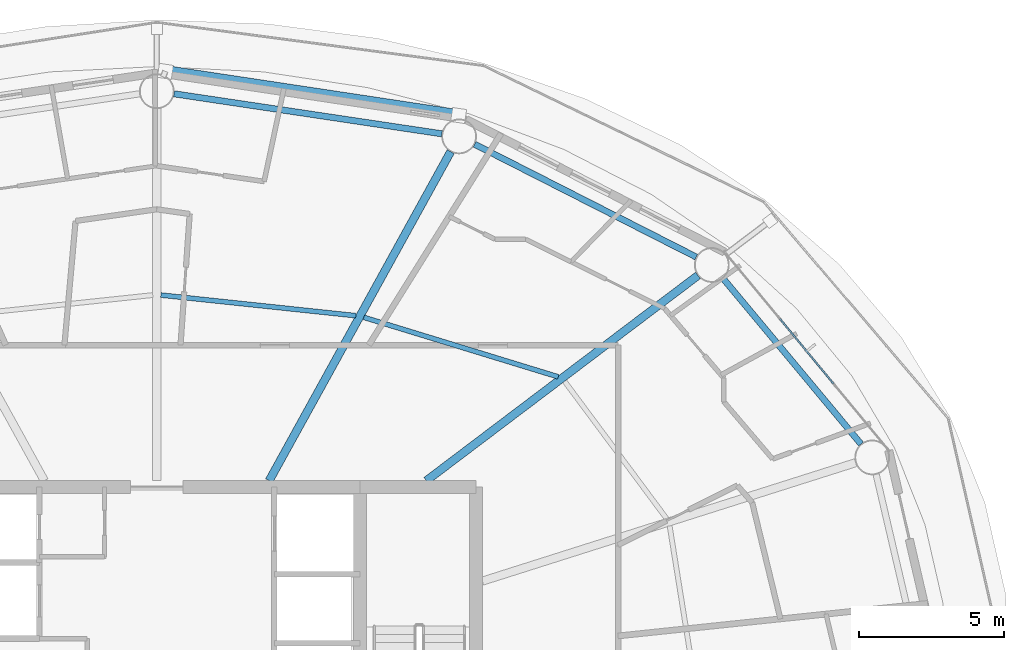
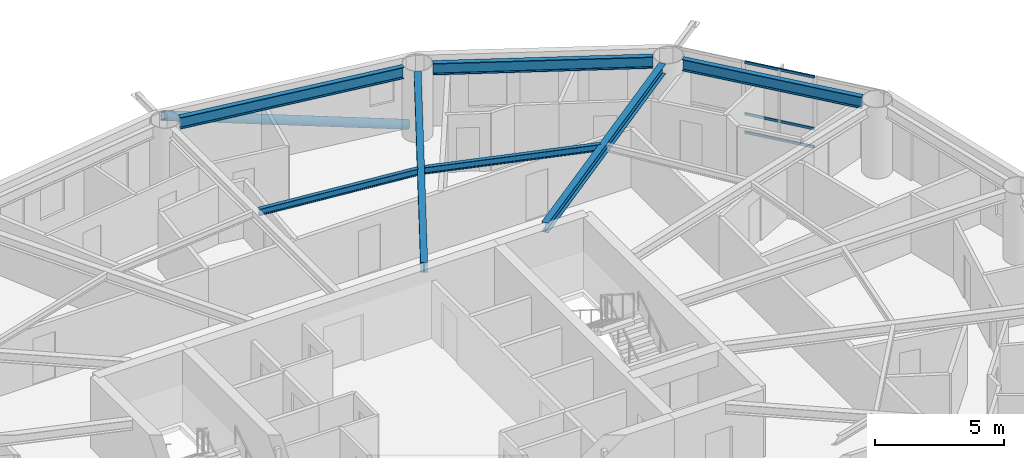
# One storey, part 14 of 28: 7 beams, 4 members, 1 element without a shape of its own.
"""IFC4 building model written with IfcOpenShell, lengths in metres."""

from ifc_helpers import new_model, si_unit, direction, frame, origin, origin_2d, place, context, subcontext, project, spatial, hollow_rectangle, hollow_circle, i_section, extrude, material, layer, layer_set, material_profile, profile_set, type_object, element, aggregate, save


model = new_model("IFC4")

# Units and contexts
model_context = context("Model", 3, precision=1e-05, world=origin(), true_north=direction((0.0, 1.0)))
body_context = subcontext(model_context, "Body", "Model", "MODEL_VIEW")
ifc_project = project(units=[si_unit("LENGTHUNIT", "METRE"), si_unit("AREAUNIT", "SQUARE_METRE"), si_unit("VOLUMEUNIT", "CUBIC_METRE"), si_unit("PLANEANGLEUNIT", "RADIAN"), si_unit("MASSUNIT", "GRAM", prefix="KILO")], contexts=[model_context])

# Site, building, storey
site_placement = place(None, origin())
site = spatial("IfcSite", under=ifc_project, at=site_placement, CompositionType="ELEMENT")
building_placement = place(site_placement, origin())
building = spatial("IfcBuilding", under=site, at=building_placement, Name="Sarneth Arch Tower", CompositionType="ELEMENT")
storey_placement = place(building_placement, frame((0.0, 0.0, 190.199951171875)))
storey = spatial("IfcBuildingStorey", under=building, at=storey_placement, Name="L48", CompositionType="ELEMENT", Elevation=190.199951171875)

# Beams
ifc_material_1 = material(Name="Steel S355", Category="steel")
ifc_material_profile_1 = material_profile(ifc_material_1, i_section(OverallWidth=0.1669921875, OverallDepth=0.31689453125, WebThickness=0.007568359375, FlangeThickness=0.01318359375, FilletRadius=0.012939453125, at=origin_2d()), Name="W310x52")
ifc_profile_set_1 = profile_set([ifc_material_profile_1], Name="Steel S355")
beam_type_1 = type_object("IfcBeamType", Name="BM-JOIST-310B", PredefinedType="JOIST", material=ifc_profile_set_1)
beam_1_placement = place(storey_placement, frame((61.84130859375, 52.602783203125, 3.221435546875), z_axis=(-0.956178669891, 0.292783796076, 0.0), x_axis=(-0.292783796076, -0.956178669891, 0.0)))
element("IfcBeam", 1, at=beam_1_placement, inside=storey, type_object=beam_type_1, Name="L48 Secondary floor joist 03", PredefinedType="JOIST", context=body_context, shape_type="SweptSolid", body=[
    extrude(i_section(OverallWidth=0.1669921875, OverallDepth=0.31689453125, WebThickness=0.007568359375, FlangeThickness=0.01318359375, FilletRadius=0.012939453125, at=origin_2d()), origin(), (0.0, 0.0, 1.0), 7.010986328125),
])
beam_2_placement = place(storey_placement, frame((54.8642578125, 54.711181640625, 3.221435546875), z_axis=(-0.994447340543, 0.105235387994, 0.0), x_axis=(-0.105235387994, -0.994447340543, 0.0)))
element("IfcBeam", 2, at=beam_2_placement, inside=storey, type_object=beam_type_1, Name="L48 Secondary floor joist 04", PredefinedType="JOIST", context=body_context, shape_type="SweptSolid", body=[
    extrude(i_section(OverallWidth=0.1669921875, OverallDepth=0.31689453125, WebThickness=0.007568359375, FlangeThickness=0.01318359375, FilletRadius=0.012939453125, at=origin_2d()), origin(), (0.0, 0.0, 1.0), 6.7626953125),
])
ifc_material_2 = material(Name="Steel S355", Category="steel")
ifc_material_profile_2 = material_profile(ifc_material_2, i_section(OverallWidth=0.280029296875, OverallDepth=0.462890625, WebThickness=0.0107421875, FlangeThickness=0.017333984375, FilletRadius=0.01806640625, at=origin_2d()), Name="W460x113")
ifc_profile_set_2 = profile_set([ifc_material_profile_2], Name="Steel S355")
beam_type_2 = type_object("IfcBeamType", Name="BM-RAD-460A", PredefinedType="BEAM", material=ifc_profile_set_2)
beam_3_placement = place(storey_placement, frame((57.29541015625, 49.02490234375, 3.1484375), z_axis=(0.797784574467, 0.602942594898, 0.0), x_axis=(-0.602942594898, 0.797784574467, 0.0)))
element("IfcBeam", 3, at=beam_3_placement, inside=storey, type_object=beam_type_2, Name="L48 Radial floor girder 03", PredefinedType="BEAM", context=body_context, shape_type="SweptSolid", body=[
    extrude(i_section(OverallWidth=0.280029296875, OverallDepth=0.462890625, WebThickness=0.0107421875, FlangeThickness=0.017333984375, FilletRadius=0.01806640625, at=origin_2d()), origin(), (0.0, 0.0, 1.0), 11.73193359375),
])
beam_4_placement = place(storey_placement, frame((51.875, 49.02490234375, 3.1484375), z_axis=(0.483010082599, 0.875614789795, 0.0), x_axis=(-0.875614789795, 0.483010082599, 0.0)))
element("IfcBeam", 4, at=beam_4_placement, inside=storey, type_object=beam_type_2, Name="L48 Radial floor girder 04", PredefinedType="BEAM", context=body_context, shape_type="SweptSolid", body=[
    extrude(i_section(OverallWidth=0.280029296875, OverallDepth=0.462890625, WebThickness=0.0107421875, FlangeThickness=0.017333984375, FilletRadius=0.01806640625, at=origin_2d()), origin(), (0.0, 0.0, 1.0), 12.954345703125),
])
ifc_material_3 = material(Name="Steel S355", Category="steel")
ifc_material_profile_3 = material_profile(ifc_material_3, i_section(OverallWidth=0.214111328125, OverallDepth=0.549072265625, WebThickness=0.0146484375, FlangeThickness=0.023681640625, FilletRadius=0.01806640625, at=origin_2d()), Name="W530x138")
ifc_profile_set_3 = profile_set([ifc_material_profile_3], Name="Steel S355")
beam_type_3 = type_object("IfcBeamType", Name="BM-RAD-530A", PredefinedType="BEAM", material=ifc_profile_set_3)
beam_5_placement = place(storey_placement, frame((72.278076171875, 50.286865234375, 3.10546875), z_axis=(-0.640161793626, 0.768240117399, 0.0), x_axis=(-0.768240117399, -0.640161793626, 0.0)))
element("IfcBeam", 5, at=beam_5_placement, inside=storey, type_object=beam_type_3, Name="L48 Perimeter spandrel beam 02", PredefinedType="BEAM", context=body_context, shape_type="SweptSolid", body=[
    extrude(i_section(OverallWidth=0.214111328125, OverallDepth=0.549072265625, WebThickness=0.0146484375, FlangeThickness=0.023681640625, FilletRadius=0.01806640625, at=origin_2d()), origin(), (0.0, 0.0, 1.0), 7.43603515625),
])
beam_6_placement = place(storey_placement, frame((66.59912109375, 56.732421875, 3.10546875), z_axis=(-0.891250372735, 0.453511601945, 0.0), x_axis=(-0.453511601945, -0.891250372735, 0.0)))
element("IfcBeam", 6, at=beam_6_placement, inside=storey, type_object=beam_type_3, Name="L48 Perimeter spandrel beam 03", PredefinedType="BEAM", context=body_context, shape_type="SweptSolid", body=[
    extrude(i_section(OverallWidth=0.214111328125, OverallDepth=0.549072265625, WebThickness=0.0146484375, FlangeThickness=0.023681640625, FilletRadius=0.01806640625, at=origin_2d()), origin(), (0.0, 0.0, 1.0), 8.5751953125),
])
beam_7_placement = place(storey_placement, frame((57.828369140625, 60.98193359375, 3.10546875), z_axis=(-0.98902783755, 0.147729267756, 0.0), x_axis=(-0.147729267756, -0.98902783755, 0.0)))
element("IfcBeam", 7, at=beam_7_placement, inside=storey, type_object=beam_type_3, Name="L48 Perimeter spandrel beam 04", PredefinedType="BEAM", context=body_context, shape_type="SweptSolid", body=[
    extrude(i_section(OverallWidth=0.214111328125, OverallDepth=0.549072265625, WebThickness=0.0146484375, FlangeThickness=0.023681640625, FilletRadius=0.01806640625, at=origin_2d()), origin(), (0.0, 0.0, 1.0), 9.33740234375),
])

# Curtain wall, members
ifc_material_4 = material(Name="Anodised aluminium Type AA25 and solar-control low-e laminated IGU", Category="aluminium")
ifc_layer = layer(ifc_material_4, 0.169921875)
ifc_layer_set = layer_set([ifc_layer], Name="Anodised aluminium Type AA25 and solar-control low-e laminated IGU")
curtain_wall_type = type_object("IfcCurtainWallType", Name="CW-RES-MID", PredefinedType="NOTDEFINED", material=ifc_layer_set)
curtain_wall_placement = place(storey_placement, origin())
curtain_wall = element("IfcCurtainWall", 8, at=curtain_wall_placement, inside=storey, type_object=curtain_wall_type, Name="L48 Unitised curtain wall facet 02", PredefinedType="NOTDEFINED")
ifc_material_5 = material(Name="Anodised Aluminium 6063-T6", Category="aluminium")
ifc_material_profile_4 = material_profile(ifc_material_5, hollow_rectangle(XDim=0.06005859375, YDim=0.1201171875, WallThickness=0.00390625, at=origin_2d()), Name="AL-TRAN-120x60x4")
ifc_profile_set_4 = profile_set([ifc_material_profile_4], Name="Anodised Aluminium 6063-T6")
member_type_1 = type_object("IfcMemberType", Name="CW-TRANSOM", PredefinedType="USERDEFINED", material=ifc_profile_set_4)
member_1_placement = place(storey_placement, frame((71.327880859375, 52.36962890625, 0.030029296875), z_axis=(-0.637329777791, 0.770591171985, 0.0), x_axis=(-0.770591171985, -0.637329777791, 0.0)))
member_1 = element("IfcMember", 9, at=member_1_placement, type_object=member_type_1, Name="CW-SYS-5 transom 2.1", ObjectType="TRANSOM", PredefinedType="USERDEFINED", context=body_context, shape_type="SweptSolid", body=[
    extrude(hollow_rectangle(XDim=0.06005859375, YDim=0.1201171875, WallThickness=0.00390625, at=origin_2d()), origin(), (0.0, 0.0, 1.0), 2.898193359375),
])
member_2_placement = place(storey_placement, frame((71.327880859375, 52.36962890625, 0.900146484375), z_axis=(-0.637329777791, 0.770591171985, 0.0), x_axis=(-0.770591171985, -0.637329777791, 0.0)))
member_2 = element("IfcMember", 10, at=member_2_placement, type_object=member_type_1, Name="CW-SYS-5 transom 2.2", ObjectType="TRANSOM", PredefinedType="USERDEFINED", context=body_context, shape_type="SweptSolid", body=[
    extrude(hollow_rectangle(XDim=0.06005859375, YDim=0.1201171875, WallThickness=0.00390625, at=origin_2d()), origin(), (0.0, 0.0, 1.0), 2.898193359375),
])
member_3_placement = place(storey_placement, frame((71.327880859375, 52.36962890625, 3.35009765625), z_axis=(-0.637329777791, 0.770591171985, 0.0), x_axis=(-0.770591171985, -0.637329777791, 0.0)))
member_3 = element("IfcMember", 11, at=member_3_placement, type_object=member_type_1, Name="CW-SYS-5 transom 2.3", ObjectType="TRANSOM", PredefinedType="USERDEFINED", context=body_context, shape_type="SweptSolid", body=[
    extrude(hollow_rectangle(XDim=0.06005859375, YDim=0.1201171875, WallThickness=0.00390625, at=origin_2d()), origin(), (0.0, 0.0, 1.0), 2.898193359375),
])
aggregate(curtain_wall, [member_1, member_2, member_3])

# Member
ifc_material_6 = material(Name="Steel S355", Category="steel")
ifc_material_profile_5 = material_profile(ifc_material_6, hollow_circle(Radius=0.202880859375, WallThickness=0.01611328125, at=origin_2d()), Name="CHS406x16")
ifc_profile_set_5 = profile_set([ifc_material_profile_5], Name="Steel S355")
member_type_2 = type_object("IfcMemberType", Name="MEM-DIAG-BR2", PredefinedType="BRACE", material=ifc_profile_set_5)
member_4_placement = place(storey_placement, frame((58.404296875, 61.612548828125, 0.02001953125), z_axis=(-0.948052912183, 0.142822782379, 0.284248708942), x_axis=(-0.148967610144, -0.988842075929, 0.0)))
element("IfcMember", 12, at=member_4_placement, inside=storey, type_object=member_type_2, Name="L48 Perimeter frame diagonal 04", PredefinedType="BRACE", context=body_context, shape_type="SweptSolid", body=[
    extrude(hollow_circle(Radius=0.202880859375, WallThickness=0.01611328125, at=origin_2d()), origin(), (0.0, 0.0, 1.0), 10.66162109375),
])

save(model, "model.ifc")
